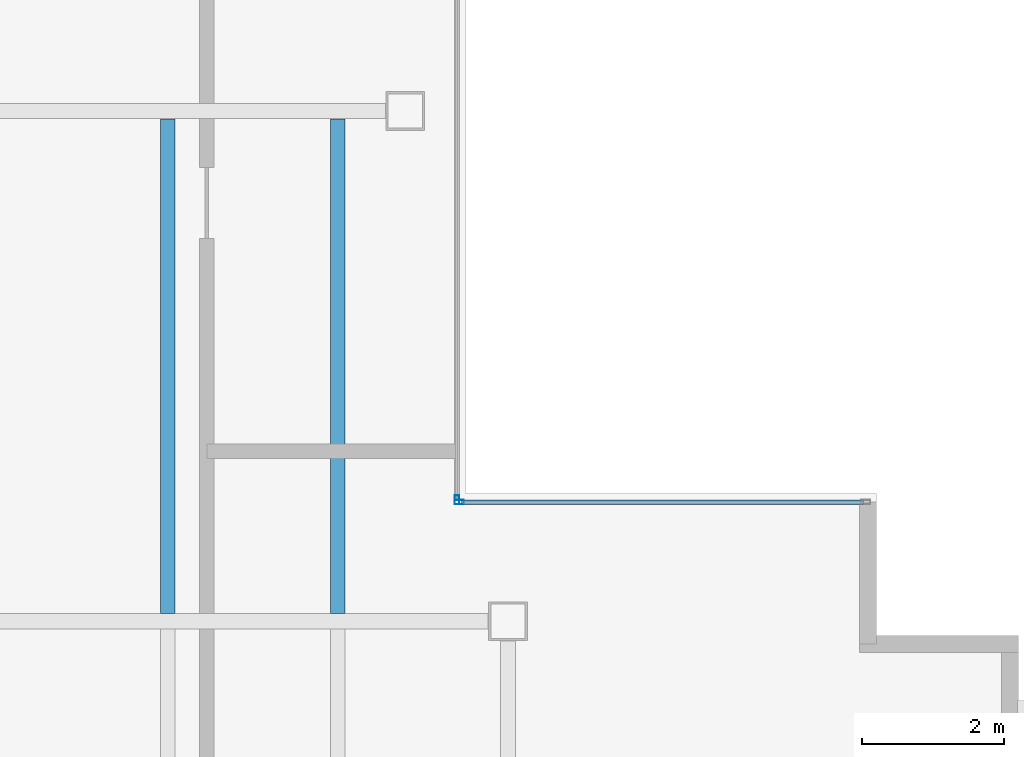
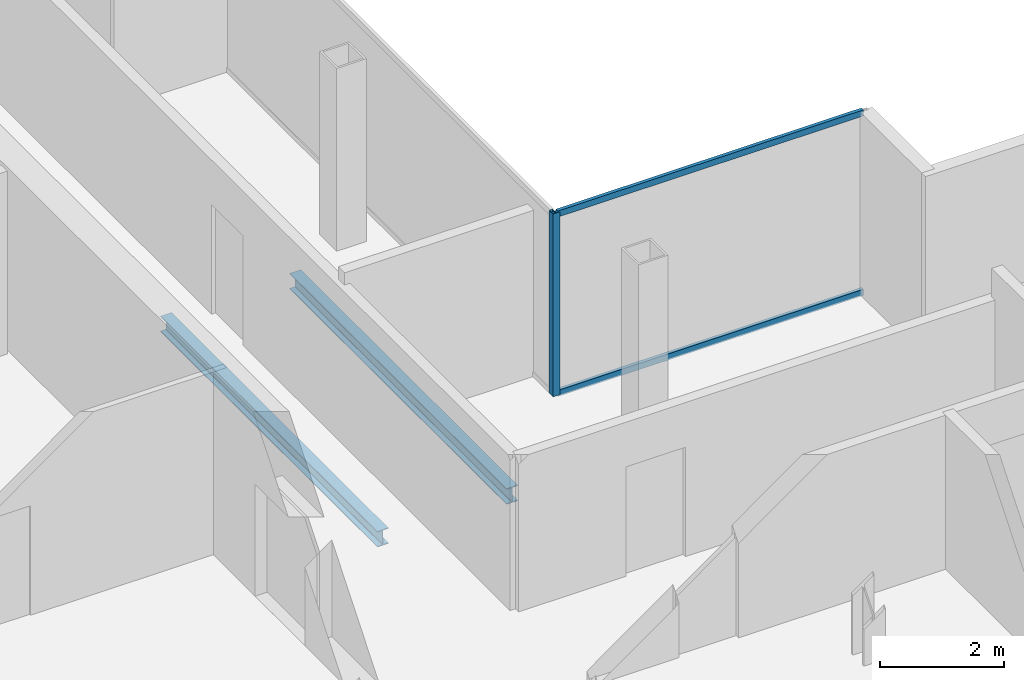
# One storey, part 9 of 15: 4 members, 2 beams, 2 elements without a shape of their own.
"""IFC4 building model written with IfcOpenShell, lengths in metres."""

from ifc_helpers import new_model, si_unit, direction, frame, origin, origin_2d, place, context, subcontext, project, spatial, hollow_rectangle, i_section, extrude, material, material_profile, profile_set, type_object, element, aggregate, save


model = new_model("IFC4")

# Units and contexts
model_context = context("Model", 3, precision=1e-05, world=origin(), true_north=direction((0.0, 1.0)))
body_context = subcontext(model_context, "Body", "Model", "MODEL_VIEW")
ifc_project = project(units=[si_unit("LENGTHUNIT", "METRE"), si_unit("AREAUNIT", "SQUARE_METRE"), si_unit("VOLUMEUNIT", "CUBIC_METRE"), si_unit("PLANEANGLEUNIT", "RADIAN"), si_unit("MASSUNIT", "GRAM", prefix="KILO")], contexts=[model_context])

# Site, building, storey
site_placement = place(None, origin())
site = spatial("IfcSite", under=ifc_project, at=site_placement, CompositionType="ELEMENT")
building_placement = place(site_placement, origin())
building = spatial("IfcBuilding", under=site, at=building_placement, Name="Cobrela Telecom Tower", CompositionType="ELEMENT")
storey_placement = place(building_placement, frame((0.0, 0.0, 297.5)))
storey = spatial("IfcBuildingStorey", under=building, at=storey_placement, Name="L78", CompositionType="ELEMENT", Elevation=297.5)

# Beams
ifc_material_1 = material(Name="Steel ASTM A992 Grade 50", Category="steel")
ifc_material_profile_1 = material_profile(ifc_material_1, i_section(OverallWidth=0.205078125, OverallDepth=0.31005859375, WebThickness=0.009521484375, FlangeThickness=0.016357421875, FilletRadius=0.010986328125, at=origin_2d()), Name="W12X50")
ifc_profile_set_1 = profile_set([ifc_material_profile_1], Name="Steel ASTM A992 Grade 50")
beam_type = type_object("IfcBeamType", Name="BM-JOIST-05", PredefinedType="JOIST", material=ifc_profile_set_1)
for number, where, z_axis, x_axis, name in (
    (1, (16.800048828125, 21.71142578125, -0.4150390625), (0.0, 1.0, 0.0), (-1.0, 0.0, 0.0), "L78 Secondary Composite Floor Beam J02"),
    (2, (19.199951171875, 21.71142578125, -0.4150390625), (0.0, 1.0, 0.0), (-1.0, 0.0, 0.0), "L78 Secondary Composite Floor Beam J04"),
):
    element("IfcBeam", number, at=place(storey_placement, frame(where, z_axis=z_axis, x_axis=x_axis)), inside=storey, type_object=beam_type, Name=name, PredefinedType="JOIST", context=body_context, shape_type="SweptSolid", body=[
        extrude(i_section(OverallWidth=0.205078125, OverallDepth=0.31005859375, WebThickness=0.009521484375, FlangeThickness=0.016357421875, FilletRadius=0.010986328125, at=origin_2d()), origin(), (0.0, 0.0, 1.0), 6.97705078125),
    ])

# Curtain wall, member
ifc_material_2 = material(Name="Anodized Bronze Aluminium 6063-T6", Category="aluminium")
curtain_wall_type = type_object("IfcCurtainWallType", Name="CW-SYS-DRUM", PredefinedType="USERDEFINED", material=ifc_material_2)
curtain_wall_1_placement = place(storey_placement, origin())
curtain_wall_1 = element("IfcCurtainWall", 3, at=curtain_wall_1_placement, inside=storey, type_object=curtain_wall_type, Name="L78 Unitised Bronze Curtain Wall 04", ObjectType="UNITISED CURTAIN WALL", PredefinedType="USERDEFINED")
ifc_material_profile_2 = material_profile(ifc_material_2, hollow_rectangle(XDim=0.06494140625, YDim=0.1298828125, WallThickness=0.00390625, at=origin_2d()), Name="ALU 65x130x4")
ifc_profile_set_2 = profile_set([ifc_material_profile_2], Name="Anodized Bronze Aluminium 6063-T6")
member_type_1 = type_object("IfcMemberType", Name="CW-SYS-DRUM-MUL", PredefinedType="MULLION", material=ifc_profile_set_2)
member_1_placement = place(storey_placement, frame((20.8798828125, 23.3125, 0.0), z_axis=(0.0, 0.0, 1.0), x_axis=(1.0, 0.0, 0.0)))
member_1 = element("IfcMember", 4, at=member_1_placement, type_object=member_type_1, Name="CW-DRUM mullion 2", PredefinedType="MULLION", context=body_context, shape_type="SweptSolid", body=[
    extrude(hollow_rectangle(XDim=0.06494140625, YDim=0.1298828125, WallThickness=0.00390625, at=origin_2d()), origin(), (0.0, 0.0, 1.0), 3.590087890625),
])
aggregate(curtain_wall_1, [member_1])

# Curtain wall, members
curtain_wall_2_placement = place(storey_placement, origin())
curtain_wall_2 = element("IfcCurtainWall", 5, at=curtain_wall_2_placement, inside=storey, type_object=curtain_wall_type, Name="L78 Unitised Bronze Curtain Wall 05", ObjectType="UNITISED CURTAIN WALL", PredefinedType="USERDEFINED")
member_2_placement = place(storey_placement, frame((20.91259765625, 23.280029296875, 0.0), z_axis=(0.0, 0.0, 1.0), x_axis=(0.0, 1.0, 0.0)))
member_2 = element("IfcMember", 6, at=member_2_placement, type_object=member_type_1, Name="CW-DRUM mullion 1", PredefinedType="MULLION", context=body_context, shape_type="SweptSolid", body=[
    extrude(hollow_rectangle(XDim=0.06494140625, YDim=0.1298828125, WallThickness=0.00390625, at=origin_2d()), origin(), (0.0, 0.0, 1.0), 3.590087890625),
])
ifc_material_profile_3 = material_profile(ifc_material_2, hollow_rectangle(XDim=0.06494140625, YDim=0.1201171875, WallThickness=0.00390625, at=origin_2d()), Name="ALU 65x120x4")
ifc_profile_set_3 = profile_set([ifc_material_profile_3], Name="Anodized Bronze Aluminium 6063-T6")
member_type_2 = type_object("IfcMemberType", Name="CW-SYS-DRUM-TRN", PredefinedType="USERDEFINED", material=ifc_profile_set_3)
member_3_placement = place(storey_placement, frame((20.945068359375, 23.280029296875, 0.032470703125), z_axis=(1.0, 0.0, 0.0), x_axis=(0.0, 1.0, 0.0)))
member_3 = element("IfcMember", 7, at=member_3_placement, type_object=member_type_2, Name="CW-DRUM transom 1.1", ObjectType="TRANSOM", PredefinedType="USERDEFINED", context=body_context, shape_type="SweptSolid", body=[
    extrude(hollow_rectangle(XDim=0.06494140625, YDim=0.1201171875, WallThickness=0.00390625, at=origin_2d()), origin(), (0.0, 0.0, 1.0), 5.669921875),
])
member_4_placement = place(storey_placement, frame((20.945068359375, 23.280029296875, 3.5576171875), z_axis=(1.0, 0.0, 0.0), x_axis=(0.0, 1.0, 0.0)))
member_4 = element("IfcMember", 8, at=member_4_placement, type_object=member_type_2, Name="CW-DRUM transom 1.2", ObjectType="TRANSOM", PredefinedType="USERDEFINED", context=body_context, shape_type="SweptSolid", body=[
    extrude(hollow_rectangle(XDim=0.06494140625, YDim=0.1201171875, WallThickness=0.00390625, at=origin_2d()), origin(), (0.0, 0.0, 1.0), 5.669921875),
])
aggregate(curtain_wall_2, [member_2, member_3, member_4])

save(model, "model.ifc")
